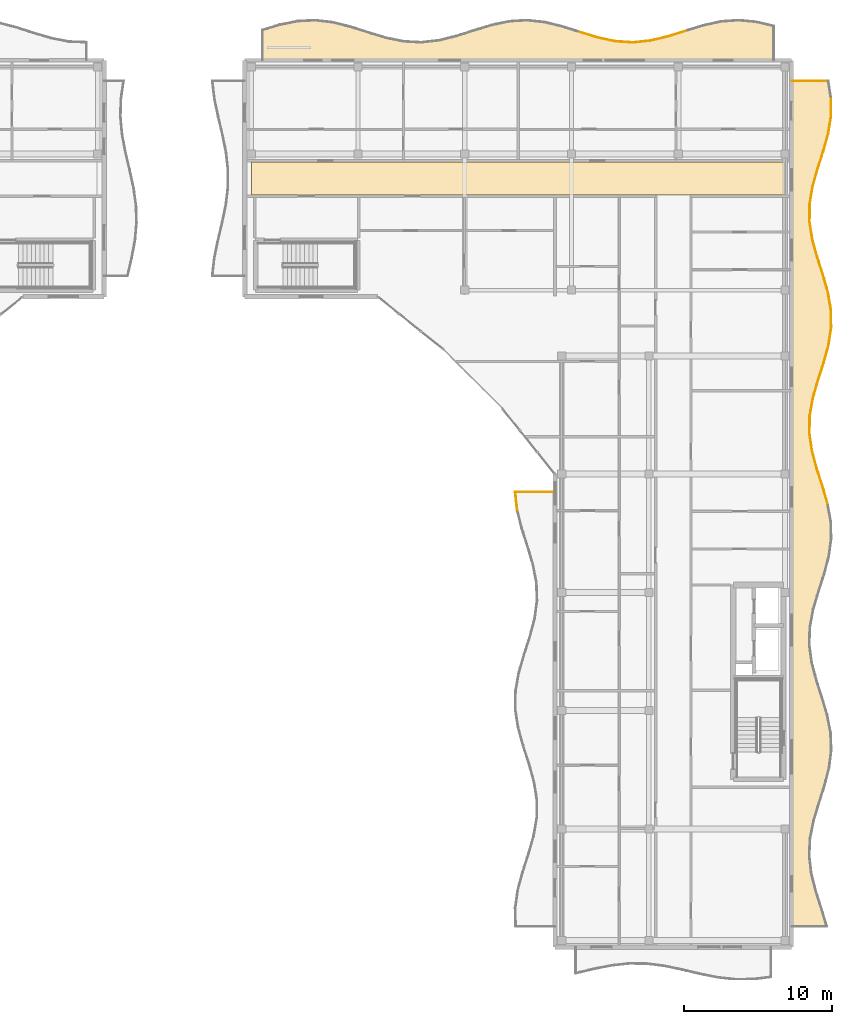
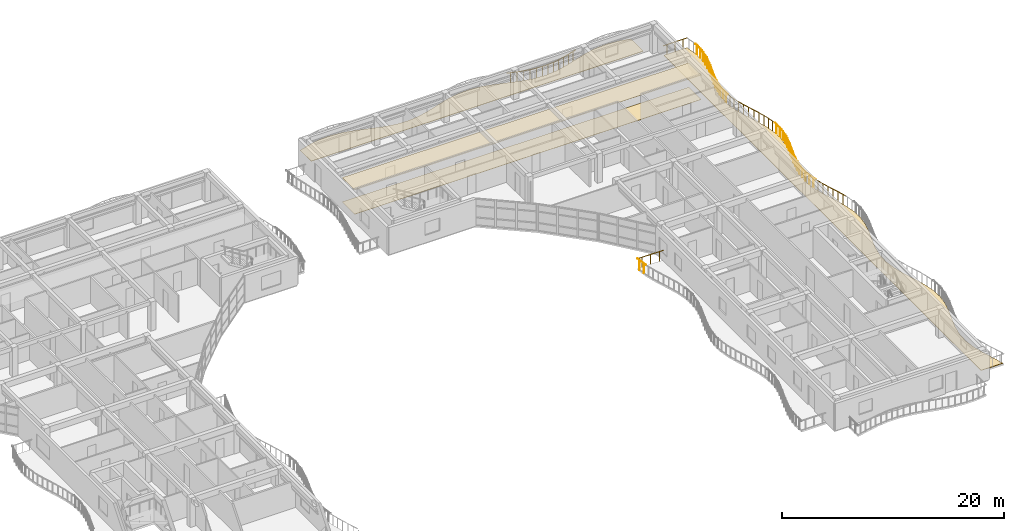
# One storey, part 67 of 68: 32 railings, 4 coverings.
"""IFC4 building model written with IfcOpenShell, lengths in metres."""

from ifc_helpers import new_model, si_unit, direction, frame, origin, origin_2d, place, context, subcontext, project, spatial, polyline, circle, outline, extrude, material, layer, layer_set, type_object, element, save


model = new_model("IFC4")

# Units and contexts
model_context = context("Model", 3, precision=1e-05, world=origin(), true_north=direction((0.0, 1.0)))
body_context = subcontext(model_context, "Body", "Model", "MODEL_VIEW")
ifc_project = project(units=[si_unit("LENGTHUNIT", "METRE"), si_unit("AREAUNIT", "SQUARE_METRE"), si_unit("VOLUMEUNIT", "CUBIC_METRE"), si_unit("PLANEANGLEUNIT", "RADIAN"), si_unit("MASSUNIT", "GRAM", prefix="KILO")], contexts=[model_context])

# Site, building, storey
site_placement = place(None, origin())
site = spatial("IfcSite", under=ifc_project, at=site_placement, CompositionType="ELEMENT")
building_placement = place(site_placement, origin())
building = spatial("IfcBuilding", under=site, at=building_placement, Name="Keldmere Railside Commons", CompositionType="ELEMENT")
storey_placement = place(building_placement, frame((0.0, 0.0, 23.360107421875)))
storey = spatial("IfcBuildingStorey", under=building, at=storey_placement, Name="L07", CompositionType="ELEMENT", Elevation=23.360107421875)

# Railings
ifc_material_1 = material(Name="Steel F-24 (S235)", Category="steel")
railing_type = type_object("IfcRailingType", Name="Balcony & Terrace Steel Balustrade 1100", PredefinedType="BALUSTRADE", material=ifc_material_1)
railing_1_placement = place(storey_placement, frame((169.67578125, 117.903076171875, 0.0)))
element("IfcRailing", 1, at=railing_1_placement, inside=storey, type_object=railing_type, Name="GR-1 GRD-L07-3973", PredefinedType="BALUSTRADE", context=body_context, shape_type="SweptSolid", body=[
    extrude(circle(Radius=0.02392578125, at=origin_2d()), frame((0.0, 0.0, 1.076171875), z_axis=(0.955981800022, -0.293425966858, 0.0), x_axis=(0.293425966858, 0.955981800022, 0.0)), (0.0, 0.0, 1.0), 1.248046875),
    extrude(circle(Radius=0.02099609375, at=origin_2d()), frame((0.29833984375, -0.091552734375, 0.0)), (0.0, 0.0, 1.0), 1.048095703125),
    extrude(circle(Radius=0.02099609375, at=origin_2d()), frame((0.894775390625, -0.274658203125, 0.0)), (0.0, 0.0, 1.0), 1.048095703125),
])
railing_2_placement = place(storey_placement, frame((170.868896484375, 117.536865234375, 0.0)))
element("IfcRailing", 2, at=railing_2_placement, inside=storey, type_object=railing_type, Name="GR-1 GRD-L07-3974", PredefinedType="BALUSTRADE", context=body_context, shape_type="SweptSolid", body=[
    extrude(circle(Radius=0.02392578125, at=origin_2d()), frame((0.0, 0.0, 1.076171875), z_axis=(0.977646984826, -0.210253116647, 0.0), x_axis=(0.210253116647, 0.977646984826, 0.0)), (0.0, 0.0, 1.0), 1.220458984375),
    extrude(circle(Radius=0.02099609375, at=origin_2d()), frame((0.29833984375, -0.064208984375, 0.0)), (0.0, 0.0, 1.0), 1.048095703125),
    extrude(circle(Radius=0.02099609375, at=origin_2d()), frame((0.894775390625, -0.1923828125, 0.0)), (0.0, 0.0, 1.0), 1.048095703125),
])
railing_3_placement = place(storey_placement, frame((172.06201171875, 117.2802734375, 0.0)))
element("IfcRailing", 3, at=railing_3_placement, inside=storey, type_object=railing_type, Name="GR-1 GRD-L07-3975", PredefinedType="BALUSTRADE", context=body_context, shape_type="SweptSolid", body=[
    extrude(circle(Radius=0.02392578125, at=origin_2d()), frame((0.0, 0.0, 1.076171875), z_axis=(0.997809483511, -0.066153114929, 0.0), x_axis=(0.066153114929, 0.997809483511, 0.0)), (0.0, 0.0, 1.0), 1.19580078125),
    extrude(circle(Radius=0.02099609375, at=origin_2d()), frame((0.29833984375, -0.019775390625, 0.0)), (0.0, 0.0, 1.0), 1.048095703125),
    extrude(circle(Radius=0.02099609375, at=origin_2d()), frame((0.894775390625, -0.059326171875, 0.0)), (0.0, 0.0, 1.0), 1.048095703125),
])
railing_4_placement = place(storey_placement, frame((173.255126953125, 117.201171875, 0.0)))
element("IfcRailing", 4, at=railing_4_placement, inside=storey, type_object=railing_type, Name="GR-1 GRD-L07-3976", PredefinedType="BALUSTRADE", context=body_context, shape_type="SweptSolid", body=[
    extrude(circle(Radius=0.02392578125, at=origin_2d()), frame((0.0, 0.0, 1.076171875), z_axis=(0.995051291918, 0.099362600871, 0.0), x_axis=(-0.099362600871, 0.995051291918, 0.0)), (0.0, 0.0, 1.0), 1.198974609375),
    extrude(circle(Radius=0.02099609375, at=origin_2d()), frame((0.29833984375, 0.02978515625, 0.0)), (0.0, 0.0, 1.0), 1.048095703125),
    extrude(circle(Radius=0.02099609375, at=origin_2d()), frame((0.894775390625, 0.08935546875, 0.0)), (0.0, 0.0, 1.0), 1.048095703125),
])
railing_5_placement = place(storey_placement, frame((174.4482421875, 117.3203125, 0.0)))
element("IfcRailing", 5, at=railing_5_placement, inside=storey, type_object=railing_type, Name="GR-1 GRD-L07-3977", PredefinedType="BALUSTRADE", context=body_context, shape_type="SweptSolid", body=[
    extrude(circle(Radius=0.02392578125, at=origin_2d()), frame((0.0, 0.0, 1.076171875), z_axis=(0.972472132712, 0.233019207572, 0.0), x_axis=(-0.233019207572, 0.972472132712, 0.0)), (0.0, 0.0, 1.0), 1.226806640625),
    extrude(circle(Radius=0.02099609375, at=origin_2d()), frame((0.29833984375, 0.071533203125, 0.0)), (0.0, 0.0, 1.0), 1.048095703125),
    extrude(circle(Radius=0.02099609375, at=origin_2d()), frame((0.894775390625, 0.21435546875, 0.0)), (0.0, 0.0, 1.0), 1.048095703125),
])
railing_6_placement = place(storey_placement, frame((175.641357421875, 117.606201171875, 0.0)))
element("IfcRailing", 6, at=railing_6_placement, inside=storey, type_object=railing_type, Name="GR-1 GRD-L07-3978", PredefinedType="BALUSTRADE", context=body_context, shape_type="SweptSolid", body=[
    extrude(circle(Radius=0.02392578125, at=origin_2d()), frame((0.0, 0.0, 1.076171875), z_axis=(0.95348530784, 0.301439492657, 0.0), x_axis=(-0.301439492657, 0.95348530784, 0.0)), (0.0, 0.0, 1.0), 1.251220703125),
    extrude(circle(Radius=0.02099609375, at=origin_2d()), frame((0.29833984375, 0.09423828125, 0.0)), (0.0, 0.0, 1.0), 1.048095703125),
    extrude(circle(Radius=0.02099609375, at=origin_2d()), frame((0.894775390625, 0.282958984375, 0.0)), (0.0, 0.0, 1.0), 1.048095703125),
])
railing_7_placement = place(storey_placement, frame((165.4423828125, 85.574951171875, 0.0)))
element("IfcRailing", 7, at=railing_7_placement, inside=storey, type_object=railing_type, Name="GR-1 GRD-L07-4009", PredefinedType="BALUSTRADE", context=body_context, shape_type="SweptSolid", body=[
    extrude(circle(Radius=0.02392578125, at=origin_2d()), frame((0.0, 0.0, 1.076171875), z_axis=(-0.112865259548, 0.993610302476, 0.0), x_axis=(-0.993610302476, -0.112865259548, 0.0)), (0.0, 0.0, 1.0), 1.23291015625),
    extrude(circle(Radius=0.02099609375, at=origin_2d()), frame((-0.03466796875, 0.30615234375, 0.0)), (0.0, 0.0, 1.0), 1.048095703125),
    extrude(circle(Radius=0.02099609375, at=origin_2d()), frame((-0.1044921875, 0.9189453125, 0.0)), (0.0, 0.0, 1.0), 1.048095703125),
])
railing_8_placement = place(storey_placement, frame((165.30322265625, 86.800048828125, 0.0)))
element("IfcRailing", 8, at=railing_8_placement, inside=storey, type_object=railing_type, Name="GR-1 GRD-L07-4010", PredefinedType="BALUSTRADE", context=body_context, shape_type="SweptSolid", body=[
    extrude(circle(Radius=0.02392578125, at=origin_2d()), frame((0.0, 0.0, 1.076171875), z_axis=(1.0, 0.0, 0.0), x_axis=(0.0, 1.0, 0.0)), (0.0, 0.0, 1.0), 2.69677734375),
    extrude(circle(Radius=0.02099609375, at=origin_2d()), frame((0.449462890625, 0.0, 0.0)), (0.0, 0.0, 1.0), 1.048095703125),
    extrude(circle(Radius=0.02099609375, at=origin_2d()), frame((1.348388671875, 0.0, 0.0)), (0.0, 0.0, 1.0), 1.048095703125),
    extrude(circle(Radius=0.02099609375, at=origin_2d()), frame((2.247314453125, 0.0, 0.0)), (0.0, 0.0, 1.0), 1.048095703125),
])
railing_9_placement = place(storey_placement, frame((186.43994140625, 86.0, 0.0)))
element("IfcRailing", 9, at=railing_9_placement, inside=storey, type_object=railing_type, Name="GR-1 GRD-L07-4036", PredefinedType="BALUSTRADE", context=body_context, shape_type="SweptSolid", body=[
    extrude(circle(Radius=0.02392578125, at=origin_2d()), frame((0.0, 0.0, 1.076171875), z_axis=(-0.279342731432, 0.960191459239, 0.0), x_axis=(-0.960191459239, -0.279342731432, 0.0)), (0.0, 0.0, 1.0), 1.240966796875),
    extrude(circle(Radius=0.02099609375, at=origin_2d()), frame((-0.086669921875, 0.2978515625, 0.0)), (0.0, 0.0, 1.0), 1.048095703125),
    extrude(circle(Radius=0.02099609375, at=origin_2d()), frame((-0.260009765625, 0.893798828125, 0.0)), (0.0, 0.0, 1.0), 1.048095703125),
])
railing_10_placement = place(storey_placement, frame((186.09326171875, 87.191650390625, 0.0)))
element("IfcRailing", 10, at=railing_10_placement, inside=storey, type_object=railing_type, Name="GR-1 GRD-L07-4037", PredefinedType="BALUSTRADE", context=body_context, shape_type="SweptSolid", body=[
    extrude(circle(Radius=0.02392578125, at=origin_2d()), frame((0.0, 0.0, 1.076171875), z_axis=(-0.307264804156, 0.951624053987, 0.0), x_axis=(-0.951624053987, -0.307264804156, 0.0)), (0.0, 0.0, 1.0), 1.252197265625),
    extrude(circle(Radius=0.02099609375, at=origin_2d()), frame((-0.09619140625, 0.2978515625, 0.0)), (0.0, 0.0, 1.0), 1.048095703125),
    extrude(circle(Radius=0.02099609375, at=origin_2d()), frame((-0.28857421875, 0.893798828125, 0.0)), (0.0, 0.0, 1.0), 1.048095703125),
])
railing_11_placement = place(storey_placement, frame((185.70849609375, 88.38330078125, 0.0)))
element("IfcRailing", 11, at=railing_11_placement, inside=storey, type_object=railing_type, Name="GR-1 GRD-L07-4038", PredefinedType="BALUSTRADE", context=body_context, shape_type="SweptSolid", body=[
    extrude(circle(Radius=0.02392578125, at=origin_2d()), frame((0.0, 0.0, 1.076171875), z_axis=(-0.259952189313, 0.965621488613, 0.0), x_axis=(-0.965621488613, -0.259952189313, 0.0)), (0.0, 0.0, 1.0), 1.234130859375),
    extrude(circle(Radius=0.02099609375, at=origin_2d()), frame((-0.080078125, 0.2978515625, 0.0)), (0.0, 0.0, 1.0), 1.048095703125),
    extrude(circle(Radius=0.02099609375, at=origin_2d()), frame((-0.24072265625, 0.893798828125, 0.0)), (0.0, 0.0, 1.0), 1.048095703125),
])
railing_12_placement = place(storey_placement, frame((185.3876953125, 89.574951171875, 0.0)))
element("IfcRailing", 12, at=railing_12_placement, inside=storey, type_object=railing_type, Name="GR-1 GRD-L07-4039", PredefinedType="BALUSTRADE", context=body_context, shape_type="SweptSolid", body=[
    extrude(circle(Radius=0.02392578125, at=origin_2d()), frame((0.0, 0.0, 1.076171875), z_axis=(-0.143152761101, 0.989700604723, 0.0), x_axis=(-0.989700604723, -0.143152761101, 0.0)), (0.0, 0.0, 1.0), 1.2041015625),
    extrude(circle(Radius=0.02099609375, at=origin_2d()), frame((-0.04296875, 0.2978515625, 0.0)), (0.0, 0.0, 1.0), 1.048095703125),
    extrude(circle(Radius=0.02099609375, at=origin_2d()), frame((-0.12939453125, 0.893798828125, 0.0)), (0.0, 0.0, 1.0), 1.048095703125),
])
railing_13_placement = place(storey_placement, frame((185.21533203125, 90.7666015625, 0.0)))
element("IfcRailing", 13, at=railing_13_placement, inside=storey, type_object=railing_type, Name="GR-1 GRD-L07-4040", PredefinedType="BALUSTRADE", context=body_context, shape_type="SweptSolid", body=[
    extrude(circle(Radius=0.02392578125, at=origin_2d()), frame((0.0, 0.0, 1.076171875), z_axis=(0.018435710778, 0.999830047842, 0.0), x_axis=(-0.999830047842, 0.018435710778, 0.0)), (0.0, 0.0, 1.0), 1.19189453125),
    extrude(circle(Radius=0.02099609375, at=origin_2d()), frame((0.00537109375, 0.2978515625, 0.0)), (0.0, 0.0, 1.0), 1.048095703125),
    extrude(circle(Radius=0.02099609375, at=origin_2d()), frame((0.0166015625, 0.893798828125, 0.0)), (0.0, 0.0, 1.0), 1.048095703125),
])
railing_14_placement = place(storey_placement, frame((185.2373046875, 91.958251953125, 0.0)))
element("IfcRailing", 14, at=railing_14_placement, inside=storey, type_object=railing_type, Name="GR-1 GRD-L07-4041", PredefinedType="BALUSTRADE", context=body_context, shape_type="SweptSolid", body=[
    extrude(circle(Radius=0.02392578125, at=origin_2d()), frame((0.0, 0.0, 1.076171875), z_axis=(0.173911936485, 0.984761208795, 0.0), x_axis=(-0.984761208795, 0.173911936485, 0.0)), (0.0, 0.0, 1.0), 1.210205078125),
    extrude(circle(Radius=0.02099609375, at=origin_2d()), frame((0.052734375, 0.2978515625, 0.0)), (0.0, 0.0, 1.0), 1.048095703125),
    extrude(circle(Radius=0.02099609375, at=origin_2d()), frame((0.15771484375, 0.893798828125, 0.0)), (0.0, 0.0, 1.0), 1.048095703125),
])
railing_15_placement = place(storey_placement, frame((185.44775390625, 93.14990234375, 0.0)))
element("IfcRailing", 15, at=railing_15_placement, inside=storey, type_object=railing_type, Name="GR-1 GRD-L07-4042", PredefinedType="BALUSTRADE", context=body_context, shape_type="SweptSolid", body=[
    extrude(circle(Radius=0.02392578125, at=origin_2d()), frame((0.0, 0.0, 1.076171875), z_axis=(0.276566502978, 0.960994781167, 0.0), x_axis=(-0.960994781167, 0.276566502978, 0.0)), (0.0, 0.0, 1.0), 1.240234375),
    extrude(circle(Radius=0.02099609375, at=origin_2d()), frame((0.085693359375, 0.2978515625, 0.0)), (0.0, 0.0, 1.0), 1.048095703125),
    extrude(circle(Radius=0.02099609375, at=origin_2d()), frame((0.25732421875, 0.89404296875, 0.0)), (0.0, 0.0, 1.0), 1.048095703125),
])
railing_16_placement = place(storey_placement, frame((185.790771484375, 94.341796875, 0.0)))
element("IfcRailing", 16, at=railing_16_placement, inside=storey, type_object=railing_type, Name="GR-1 GRD-L07-4043", PredefinedType="BALUSTRADE", context=body_context, shape_type="SweptSolid", body=[
    extrude(circle(Radius=0.02392578125, at=origin_2d()), frame((0.0, 0.0, 1.076171875), z_axis=(0.307674926427, 0.951491534197, 0.0), x_axis=(-0.951491534197, 0.307674926427, 0.0)), (0.0, 0.0, 1.0), 1.252197265625),
    extrude(circle(Radius=0.02099609375, at=origin_2d()), frame((0.09619140625, 0.2978515625, 0.0)), (0.0, 0.0, 1.0), 1.048095703125),
    extrude(circle(Radius=0.02099609375, at=origin_2d()), frame((0.2890625, 0.8935546875, 0.0)), (0.0, 0.0, 1.0), 1.048095703125),
])
railing_17_placement = place(storey_placement, frame((186.176025390625, 95.533203125, 0.0)))
element("IfcRailing", 17, at=railing_17_placement, inside=storey, type_object=railing_type, Name="GR-1 GRD-L07-4044", PredefinedType="BALUSTRADE", context=body_context, shape_type="SweptSolid", body=[
    extrude(circle(Radius=0.02392578125, at=origin_2d()), frame((0.0, 0.0, 1.076171875), z_axis=(0.263401635274, 0.96468625912, 0.0), x_axis=(-0.96468625912, 0.263401635274, 0.0)), (0.0, 0.0, 1.0), 1.235595703125),
    extrude(circle(Radius=0.02099609375, at=origin_2d()), frame((0.081298828125, 0.2978515625, 0.0)), (0.0, 0.0, 1.0), 1.048095703125),
    extrude(circle(Radius=0.02099609375, at=origin_2d()), frame((0.244140625, 0.89404296875, 0.0)), (0.0, 0.0, 1.0), 1.048095703125),
])
railing_18_placement = place(storey_placement, frame((186.50146484375, 96.72509765625, 0.0)))
element("IfcRailing", 18, at=railing_18_placement, inside=storey, type_object=railing_type, Name="GR-1 GRD-L07-4045", PredefinedType="BALUSTRADE", context=body_context, shape_type="SweptSolid", body=[
    extrude(circle(Radius=0.02392578125, at=origin_2d()), frame((0.0, 0.0, 1.076171875), z_axis=(0.149103201572, 0.988821639772, 0.0), x_axis=(-0.988821639772, 0.149103201572, 0.0)), (0.0, 0.0, 1.0), 1.205078125),
    extrude(circle(Radius=0.02099609375, at=origin_2d()), frame((0.044921875, 0.2978515625, 0.0)), (0.0, 0.0, 1.0), 1.048095703125),
    extrude(circle(Radius=0.02099609375, at=origin_2d()), frame((0.134765625, 0.893798828125, 0.0)), (0.0, 0.0, 1.0), 1.048095703125),
])
railing_19_placement = place(storey_placement, frame((186.68115234375, 97.916748046875, 0.0)))
element("IfcRailing", 19, at=railing_19_placement, inside=storey, type_object=railing_type, Name="GR-1 GRD-L07-4046", PredefinedType="BALUSTRADE", context=body_context, shape_type="SweptSolid", body=[
    extrude(circle(Radius=0.02392578125, at=origin_2d()), frame((0.0, 0.0, 1.076171875), z_axis=(-0.011472303768, 0.999934190958, 0.0), x_axis=(-0.999934190958, -0.011472303768, 0.0)), (0.0, 0.0, 1.0), 1.191650390625),
    extrude(circle(Radius=0.02099609375, at=origin_2d()), frame((-0.00341796875, 0.2978515625, 0.0)), (0.0, 0.0, 1.0), 1.048095703125),
    extrude(circle(Radius=0.02099609375, at=origin_2d()), frame((-0.01025390625, 0.893798828125, 0.0)), (0.0, 0.0, 1.0), 1.048095703125),
])
railing_20_placement = place(storey_placement, frame((186.66748046875, 99.1083984375, 0.0)))
element("IfcRailing", 20, at=railing_20_placement, inside=storey, type_object=railing_type, Name="GR-1 GRD-L07-4047", PredefinedType="BALUSTRADE", context=body_context, shape_type="SweptSolid", body=[
    extrude(circle(Radius=0.02392578125, at=origin_2d()), frame((0.0, 0.0, 1.076171875), z_axis=(-0.168033204559, 0.985781335878, 0.0), x_axis=(-0.985781335878, -0.168033204559, 0.0)), (0.0, 0.0, 1.0), 1.208740234375),
    extrude(circle(Radius=0.02099609375, at=origin_2d()), frame((-0.05078125, 0.2978515625, 0.0)), (0.0, 0.0, 1.0), 1.048095703125),
    extrude(circle(Radius=0.02099609375, at=origin_2d()), frame((-0.15234375, 0.893798828125, 0.0)), (0.0, 0.0, 1.0), 1.048095703125),
])
railing_21_placement = place(storey_placement, frame((186.46435546875, 100.300048828125, 0.0)))
element("IfcRailing", 21, at=railing_21_placement, inside=storey, type_object=railing_type, Name="GR-1 GRD-L07-4048", PredefinedType="BALUSTRADE", context=body_context, shape_type="SweptSolid", body=[
    extrude(circle(Radius=0.02392578125, at=origin_2d()), frame((0.0, 0.0, 1.076171875), z_axis=(-0.273888243988, 0.961761524394, 0.0), x_axis=(-0.961761524394, -0.273888243988, 0.0)), (0.0, 0.0, 1.0), 1.239013671875),
    extrude(circle(Radius=0.02099609375, at=origin_2d()), frame((-0.0849609375, 0.2978515625, 0.0)), (0.0, 0.0, 1.0), 1.048095703125),
    extrude(circle(Radius=0.02099609375, at=origin_2d()), frame((-0.25439453125, 0.893798828125, 0.0)), (0.0, 0.0, 1.0), 1.048095703125),
])
railing_22_placement = place(storey_placement, frame((186.125, 101.49169921875, 0.0)))
element("IfcRailing", 22, at=railing_22_placement, inside=storey, type_object=railing_type, Name="GR-1 GRD-L07-4049", PredefinedType="BALUSTRADE", context=body_context, shape_type="SweptSolid", body=[
    extrude(circle(Radius=0.02392578125, at=origin_2d()), frame((0.0, 0.0, 1.076171875), z_axis=(-0.307617856701, 0.951509986411, 0.0), x_axis=(-0.951509986411, -0.307617856701, 0.0)), (0.0, 0.0, 1.0), 1.25244140625),
    extrude(circle(Radius=0.02099609375, at=origin_2d()), frame((-0.09619140625, 0.2978515625, 0.0)), (0.0, 0.0, 1.0), 1.048095703125),
    extrude(circle(Radius=0.02099609375, at=origin_2d()), frame((-0.2890625, 0.893798828125, 0.0)), (0.0, 0.0, 1.0), 1.048095703125),
])
railing_23_placement = place(storey_placement, frame((185.73974609375, 102.683349609375, 0.0)))
element("IfcRailing", 23, at=railing_23_placement, inside=storey, type_object=railing_type, Name="GR-1 GRD-L07-4050", PredefinedType="BALUSTRADE", context=body_context, shape_type="SweptSolid", body=[
    extrude(circle(Radius=0.02392578125, at=origin_2d()), frame((0.0, 0.0, 1.076171875), z_axis=(-0.26675776221, 0.963763610177, 0.0), x_axis=(-0.963763610177, -0.26675776221, 0.0)), (0.0, 0.0, 1.0), 1.236572265625),
    extrude(circle(Radius=0.02099609375, at=origin_2d()), frame((-0.08251953125, 0.2978515625, 0.0)), (0.0, 0.0, 1.0), 1.048095703125),
    extrude(circle(Radius=0.02099609375, at=origin_2d()), frame((-0.247314453125, 0.893798828125, 0.0)), (0.0, 0.0, 1.0), 1.048095703125),
])
railing_24_placement = place(storey_placement, frame((185.409912109375, 103.875, 0.0)))
element("IfcRailing", 24, at=railing_24_placement, inside=storey, type_object=railing_type, Name="GR-1 GRD-L07-4051", PredefinedType="BALUSTRADE", context=body_context, shape_type="SweptSolid", body=[
    extrude(circle(Radius=0.02392578125, at=origin_2d()), frame((0.0, 0.0, 1.076171875), z_axis=(-0.155235012348, 0.987877568802, 0.0), x_axis=(-0.987877568802, -0.155235012348, 0.0)), (0.0, 0.0, 1.0), 1.206298828125),
    extrude(circle(Radius=0.02099609375, at=origin_2d()), frame((-0.046875, 0.2978515625, 0.0)), (0.0, 0.0, 1.0), 1.048095703125),
    extrude(circle(Radius=0.02099609375, at=origin_2d()), frame((-0.140380859375, 0.893798828125, 0.0)), (0.0, 0.0, 1.0), 1.048095703125),
])
railing_25_placement = place(storey_placement, frame((185.22265625, 105.066650390625, 0.0)))
element("IfcRailing", 25, at=railing_25_placement, inside=storey, type_object=railing_type, Name="GR-1 GRD-L07-4052", PredefinedType="BALUSTRADE", context=body_context, shape_type="SweptSolid", body=[
    extrude(circle(Radius=0.02392578125, at=origin_2d()), frame((0.0, 0.0, 1.076171875), z_axis=(0.00430235723, 0.999990744818, 0.0), x_axis=(-0.999990744818, 0.00430235723, 0.0)), (0.0, 0.0, 1.0), 1.191650390625),
    extrude(circle(Radius=0.02099609375, at=origin_2d()), frame((0.001220703125, 0.2978515625, 0.0)), (0.0, 0.0, 1.0), 1.048095703125),
    extrude(circle(Radius=0.02099609375, at=origin_2d()), frame((0.00390625, 0.893798828125, 0.0)), (0.0, 0.0, 1.0), 1.048095703125),
])
railing_26_placement = place(storey_placement, frame((185.227783203125, 106.25830078125, 0.0)))
element("IfcRailing", 26, at=railing_26_placement, inside=storey, type_object=railing_type, Name="GR-1 GRD-L07-4053", PredefinedType="BALUSTRADE", context=body_context, shape_type="SweptSolid", body=[
    extrude(circle(Radius=0.02392578125, at=origin_2d()), frame((0.0, 0.0, 1.076171875), z_axis=(0.162333331292, 0.986735977631, 0.0), x_axis=(-0.986735977631, 0.162333331292, 0.0)), (0.0, 0.0, 1.0), 1.207763671875),
    extrude(circle(Radius=0.02099609375, at=origin_2d()), frame((0.049072265625, 0.2978515625, 0.0)), (0.0, 0.0, 1.0), 1.048095703125),
    extrude(circle(Radius=0.02099609375, at=origin_2d()), frame((0.14697265625, 0.893798828125, 0.0)), (0.0, 0.0, 1.0), 1.048095703125),
])
railing_27_placement = place(storey_placement, frame((185.423828125, 107.449951171875, 0.0)))
element("IfcRailing", 27, at=railing_27_placement, inside=storey, type_object=railing_type, Name="GR-1 GRD-L07-4054", PredefinedType="BALUSTRADE", context=body_context, shape_type="SweptSolid", body=[
    extrude(circle(Radius=0.02392578125, at=origin_2d()), frame((0.0, 0.0, 1.076171875), z_axis=(0.270785556492, 0.962639695003, 0.0), x_axis=(-0.962639695003, 0.270785556492, 0.0)), (0.0, 0.0, 1.0), 1.23779296875),
    extrude(circle(Radius=0.02099609375, at=origin_2d()), frame((0.083740234375, 0.2978515625, 0.0)), (0.0, 0.0, 1.0), 1.048095703125),
    extrude(circle(Radius=0.02099609375, at=origin_2d()), frame((0.25146484375, 0.893798828125, 0.0)), (0.0, 0.0, 1.0), 1.048095703125),
])
railing_28_placement = place(storey_placement, frame((185.759033203125, 108.6416015625, 0.0)))
element("IfcRailing", 28, at=railing_28_placement, inside=storey, type_object=railing_type, Name="GR-1 GRD-L07-4055", PredefinedType="BALUSTRADE", context=body_context, shape_type="SweptSolid", body=[
    extrude(circle(Radius=0.02392578125, at=origin_2d()), frame((0.0, 0.0, 1.076171875), z_axis=(0.307794335351, 0.951452913772, 0.0), x_axis=(-0.951452913772, 0.307794335351, 0.0)), (0.0, 0.0, 1.0), 1.25244140625),
    extrude(circle(Radius=0.02099609375, at=origin_2d()), frame((0.096435546875, 0.2978515625, 0.0)), (0.0, 0.0, 1.0), 1.048095703125),
    extrude(circle(Radius=0.02099609375, at=origin_2d()), frame((0.2890625, 0.893798828125, 0.0)), (0.0, 0.0, 1.0), 1.048095703125),
])
railing_29_placement = place(storey_placement, frame((186.14453125, 109.833251953125, 0.0)))
element("IfcRailing", 29, at=railing_29_placement, inside=storey, type_object=railing_type, Name="GR-1 GRD-L07-4056", PredefinedType="BALUSTRADE", context=body_context, shape_type="SweptSolid", body=[
    extrude(circle(Radius=0.02392578125, at=origin_2d()), frame((0.0, 0.0, 1.076171875), z_axis=(0.270054280132, 0.962845099579, 0.0), x_axis=(-0.962845099579, 0.270054280132, 0.0)), (0.0, 0.0, 1.0), 1.237548828125),
    extrude(circle(Radius=0.02099609375, at=origin_2d()), frame((0.08349609375, 0.2978515625, 0.0)), (0.0, 0.0, 1.0), 1.048095703125),
    extrude(circle(Radius=0.02099609375, at=origin_2d()), frame((0.250732421875, 0.893798828125, 0.0)), (0.0, 0.0, 1.0), 1.048095703125),
])
railing_30_placement = place(storey_placement, frame((186.478759765625, 111.02490234375, 0.0)))
element("IfcRailing", 30, at=railing_30_placement, inside=storey, type_object=railing_type, Name="GR-1 GRD-L07-4057", PredefinedType="BALUSTRADE", context=body_context, shape_type="SweptSolid", body=[
    extrude(circle(Radius=0.02392578125, at=origin_2d()), frame((0.0, 0.0, 1.076171875), z_axis=(0.160922923652, 0.98696697647, 0.0), x_axis=(-0.98696697647, 0.160922923652, 0.0)), (0.0, 0.0, 1.0), 1.20751953125),
    extrude(circle(Radius=0.02099609375, at=origin_2d()), frame((0.048583984375, 0.2978515625, 0.0)), (0.0, 0.0, 1.0), 1.048095703125),
    extrude(circle(Radius=0.02099609375, at=origin_2d()), frame((0.145751953125, 0.89404296875, 0.0)), (0.0, 0.0, 1.0), 1.048095703125),
])
railing_31_placement = place(storey_placement, frame((186.673095703125, 112.216796875, 0.0)))
element("IfcRailing", 31, at=railing_31_placement, inside=storey, type_object=railing_type, Name="GR-1 GRD-L07-4058", PredefinedType="BALUSTRADE", context=body_context, shape_type="SweptSolid", body=[
    extrude(circle(Radius=0.02392578125, at=origin_2d()), frame((0.0, 0.0, 1.076171875), z_axis=(0.002868840653, 0.999995884868, 0.0), x_axis=(-0.999995884868, 0.002868840653, 0.0)), (0.0, 0.0, 1.0), 1.19140625),
    extrude(circle(Radius=0.02099609375, at=origin_2d()), frame((0.0009765625, 0.2978515625, 0.0)), (0.0, 0.0, 1.0), 1.048095703125),
    extrude(circle(Radius=0.02099609375, at=origin_2d()), frame((0.00244140625, 0.8935546875, 0.0)), (0.0, 0.0, 1.0), 1.048095703125),
])
railing_32_placement = place(storey_placement, frame((186.48779296875, 114.60009765625, 0.0)))
element("IfcRailing", 32, at=railing_32_placement, inside=storey, type_object=railing_type, Name="GR-1 GRD-L07-4060", PredefinedType="BALUSTRADE", context=body_context, shape_type="SweptSolid", body=[
    extrude(circle(Radius=0.02392578125, at=origin_2d()), frame((0.0, 0.0, 1.076171875), z_axis=(-1.0, 0.0, 0.0), x_axis=(0.0, -1.0, 0.0)), (0.0, 0.0, 1.0), 2.48779296875),
    extrude(circle(Radius=0.02099609375, at=origin_2d()), frame((-0.41455078125, 0.0, 0.0)), (0.0, 0.0, 1.0), 1.048095703125),
    extrude(circle(Radius=0.02099609375, at=origin_2d()), frame((-1.243896484375, 0.0, 0.0)), (0.0, 0.0, 1.0), 1.048095703125),
    extrude(circle(Radius=0.02099609375, at=origin_2d()), frame((-2.0732421875, 0.0, 0.0)), (0.0, 0.0, 1.0), 1.048095703125),
])

# Coverings
ifc_material_2 = material(Name="Polished Terrazzo Tile Flooring", Category="concrete")
ifc_layer_1 = layer(ifc_material_2, 0.030029296875, Name="Polished Terrazzo Floor Finish 30")
ifc_layer_set_1 = layer_set([ifc_layer_1], Name="Polished Terrazzo Tile Flooring")
covering_type_1 = type_object("IfcCoveringType", Name="Polished Terrazzo Floor Finish 30", PredefinedType="FLOORING", material=ifc_layer_set_1)
covering_1_placement = place(storey_placement, origin())
element("IfcCovering", 33, at=covering_1_placement, inside=storey, type_object=covering_type_1, Name="FLR-1 Corridor Terrazzo A-L07", PredefinedType="FLOORING", context=body_context, shape_type="SweptSolid", body=[
    extrude(outline(polyline([(147.47998046875, 106.8798828125), (183.52001953125, 106.8798828125), (183.52001953125, 109.1201171875), (147.47998046875, 109.1201171875), (147.47998046875, 106.8798828125)])), origin(), (0.0, 0.0, 1.0), 0.02978515625),
])
ifc_material_3 = material(Name="Acoustic Mineral-Fibre Gypsum Ceiling", Category="gypsum")
ifc_layer_2 = layer(ifc_material_3, 0.02490234375, Name="Suspended Acoustic Ceiling 25")
ifc_layer_set_2 = layer_set([ifc_layer_2], Name="Acoustic Mineral-Fibre Gypsum Ceiling")
covering_type_2 = type_object("IfcCoveringType", Name="Suspended Acoustic Ceiling 25", PredefinedType="CEILING", material=ifc_layer_set_2)
covering_2_placement = place(storey_placement, frame((0.0, 0.0, 2.6748046875)))
element("IfcCovering", 34, at=covering_2_placement, inside=storey, type_object=covering_type_2, Name="CLG-1 Corridor Ceiling A-L07", PredefinedType="CEILING", context=body_context, shape_type="SweptSolid", body=[
    extrude(outline(polyline([(147.47998046875, 106.8798828125), (183.52001953125, 106.8798828125), (183.52001953125, 109.1201171875), (147.47998046875, 109.1201171875), (147.47998046875, 106.8798828125)])), origin(), (0.0, 0.0, 1.0), 0.025146484375),
])
ifc_material_4 = material(Name="White Precast Concrete C35/45", Category="concrete")
ifc_layer_3 = layer(ifc_material_4, 0.044921875, Name="White Architectural Balcony Ribbon Cladding 45")
ifc_layer_set_3 = layer_set([ifc_layer_3], Name="White Precast Concrete C35/45")
covering_type_3 = type_object("IfcCoveringType", Name="White Architectural Balcony Ribbon Cladding 45", PredefinedType="FLOORING", material=ifc_layer_set_3)
covering_3_placement = place(storey_placement, origin())
element("IfcCovering", 35, at=covering_3_placement, inside=storey, type_object=covering_type_3, Name="CLG-WB A L07 N White Balcony Ribbon", PredefinedType="FLOORING", context=body_context, shape_type="SweptSolid", body=[
    extrude(outline(polyline([(182.760009765625, 116.0400390625), (182.760009765625, 118.27392578125), (181.600341796875, 118.54736328125), (180.413330078125, 118.659423828125), (179.2265625, 118.57373046875), (178.037841796875, 118.31298828125), (176.846435546875, 117.9453125), (175.653564453125, 117.568115234375), (175.650634765625, 117.5673828125), (174.45751953125, 117.281494140625), (174.452392578125, 117.280517578125), (173.25927734375, 117.161376953125), (173.255859375, 117.1611328125), (173.252685546875, 117.1611328125), (172.0595703125, 117.240478515625), (172.0537109375, 117.2412109375), (170.860595703125, 117.497802734375), (170.857421875, 117.498779296875), (169.664306640625, 117.86474609375), (169.663818359375, 117.864990234375), (168.471923828125, 118.2431640625), (167.28271484375, 118.53271484375), (166.095703125, 118.657958984375), (164.90869140625, 118.5859375), (163.72021484375, 118.33544921875), (162.529052734375, 117.97216796875), (161.336181640625, 117.592529296875), (161.333740234375, 117.591796875), (160.140625, 117.296630859375), (160.135498046875, 117.295654296875), (158.9423828125, 117.1630859375), (158.93896484375, 117.1630859375), (158.935791015625, 117.1630859375), (157.74267578125, 117.228515625), (157.739501953125, 117.228759765625), (157.73681640625, 117.229248046875), (156.543701171875, 117.475341796875), (156.5400390625, 117.476318359375), (155.346923828125, 117.837890625), (155.346435546875, 117.837890625), (154.154541015625, 118.218505859375), (152.965087890625, 118.517333984375), (151.778076171875, 118.655517578125), (150.59130859375, 118.59716796875), (149.40283203125, 118.357421875), (148.239990234375, 118.0078125), (148.239990234375, 116.0400390625), (182.760009765625, 116.0400390625)])), origin(), (0.0, 0.0, 1.0), 0.044921875),
])
covering_4_placement = place(storey_placement, origin())
element("IfcCovering", 36, at=covering_4_placement, inside=storey, type_object=covering_type_3, Name="CLG-WB A L07 CE White Balcony Ribbon", PredefinedType="FLOORING", context=body_context, shape_type="SweptSolid", body=[
    extrude(outline(polyline([(185.990234375, 58.579833984375), (185.609375, 59.77099609375), (185.608642578125, 59.7734375), (185.3076171875, 60.965087890625), (185.306884765625, 60.97021484375), (185.165283203125, 62.162109375), (185.1650390625, 62.165283203125), (185.1650390625, 62.168701171875), (185.220458984375, 63.360107421875), (185.220703125, 63.36328125), (185.22119140625, 63.3662109375), (185.458984375, 64.557861328125), (185.459716796875, 64.5615234375), (185.81689453125, 65.753173828125), (185.817138671875, 65.75390625), (186.198974609375, 66.9443359375), (186.504150390625, 68.132568359375), (186.65283203125, 69.318359375), (186.60595703125, 70.503662109375), (186.3759765625, 71.6904296875), (186.022705078125, 72.8798828125), (185.6396484375, 74.071044921875), (185.638916015625, 74.0732421875), (185.327880859375, 75.264892578125), (185.326904296875, 75.269775390625), (185.169921875, 76.46142578125), (185.16943359375, 76.464599609375), (185.16943359375, 76.468017578125), (185.208251953125, 77.65966796875), (185.20849609375, 77.66259765625), (185.208984375, 77.665771484375), (185.43310546875, 78.857421875), (185.43408203125, 78.861328125), (185.784423828125, 80.052978515625), (185.784912109375, 80.053955078125), (186.168701171875, 81.24462890625), (186.48388671875, 82.432861328125), (186.647705078125, 83.618896484375), (186.617431640625, 84.80419921875), (186.40087890625, 85.99072265625), (186.054931640625, 87.179931640625), (185.67041015625, 88.37109375), (185.669921875, 88.372802734375), (185.34912109375, 89.564697265625), (185.347900390625, 89.5693359375), (185.17578125, 90.760986328125), (185.175537109375, 90.76416015625), (185.17529296875, 90.767333984375), (185.197509765625, 91.958984375), (185.197509765625, 91.962158203125), (185.197998046875, 91.96533203125), (185.408203125, 93.156982421875), (185.4091796875, 93.1611328125), (185.75244140625, 94.352783203125), (185.752685546875, 94.35400390625), (186.1376953125, 95.544677734375), (186.462158203125, 96.7333984375), (186.64111328125, 97.91943359375), (186.627685546875, 99.104736328125), (186.42529296875, 100.291015625), (186.0869140625, 101.47998046875), (185.70166015625, 102.6708984375), (185.701171875, 102.672607421875), (185.37109375, 103.8642578125), (185.370361328125, 103.868896484375), (185.18310546875, 105.060546875), (185.182861328125, 105.063720703125), (185.1826171875, 105.06689453125), (185.187744140625, 106.258544921875), (185.18798828125, 106.26171875), (185.188232421875, 106.264892578125), (185.384521484375, 107.45654296875), (185.385498046875, 107.460693359375), (185.720458984375, 108.652587890625), (185.720947265625, 108.654052734375), (186.106201171875, 109.844970703125), (186.439697265625, 111.03369140625), (186.633056640625, 112.219970703125), (186.636474609375, 113.4052734375), (186.45361328125, 114.56005859375), (184.0400390625, 114.56005859375), (184.0400390625, 57.43994140625), (186.334716796875, 57.43994140625), (185.990234375, 58.579833984375)])), origin(), (0.0, 0.0, 1.0), 0.044921875),
])

save(model, "model.ifc")
